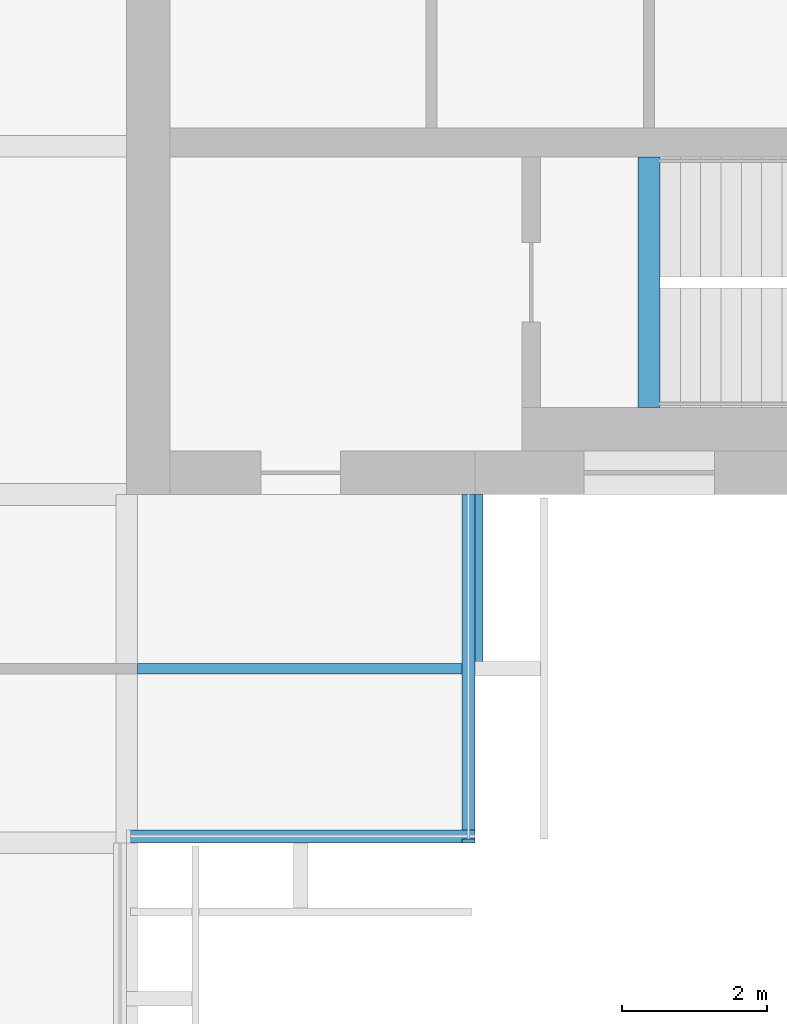
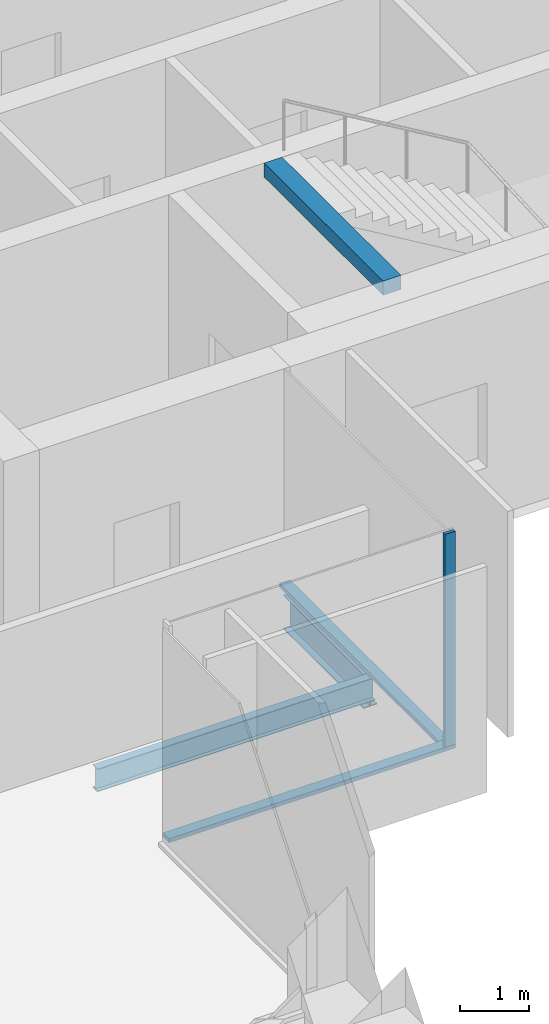
# One storey, part 4 of 13: 3 beams, 3 members, 2 elements without a shape of their own.
"""IFC4 building model written with IfcOpenShell, lengths in metres."""

from ifc_helpers import new_model, si_unit, direction, frame, origin, origin_2d, place, context, subcontext, project, spatial, rectangle, i_section, extrude, material, material_profile, profile_set, type_object, element, aggregate, save


model = new_model("IFC4")

# Units and contexts
model_context = context("Model", 3, precision=1e-05, world=origin(), true_north=direction((0.0, 1.0)))
body_context = subcontext(model_context, "Body", "Model", "MODEL_VIEW")
ifc_project = project(units=[si_unit("LENGTHUNIT", "METRE"), si_unit("AREAUNIT", "SQUARE_METRE"), si_unit("VOLUMEUNIT", "CUBIC_METRE"), si_unit("PLANEANGLEUNIT", "RADIAN"), si_unit("MASSUNIT", "GRAM", prefix="KILO")], contexts=[model_context])

# Site, building, storey
site_placement = place(None, origin())
site = spatial("IfcSite", under=ifc_project, at=site_placement, CompositionType="ELEMENT")
building_placement = place(site_placement, origin())
building = spatial("IfcBuilding", under=site, at=building_placement, Name="Baori Bourse Tower", CompositionType="ELEMENT")
storey_placement = place(building_placement, frame((0.0, 0.0, 346.300048828125)))
storey = spatial("IfcBuildingStorey", under=building, at=storey_placement, Name="L77", CompositionType="ELEMENT", Elevation=346.300048828125)

# Curtain wall, member
ifc_material_1 = material(Name="Pale anodised aluminium", Category="aluminium")
curtain_wall_type = type_object("IfcCurtainWallType", Name="CW2 Curtain wall", PredefinedType="NOTDEFINED", material=ifc_material_1)
curtain_wall_1_placement = place(storey_placement, origin())
curtain_wall_1 = element("IfcCurtainWall", 1, at=curtain_wall_1_placement, inside=storey, type_object=curtain_wall_type, Name="Curtain wall CW2 L77 14", PredefinedType="NOTDEFINED")
ifc_material_2 = material(Name="Pale anodised aluminium", Category="aluminium")
ifc_material_profile_1 = material_profile(ifc_material_2, rectangle(XDim=0.179931640625, YDim=0.054931640625, at=origin_2d()), Name="Mullion 55x180")
ifc_profile_set_1 = profile_set([ifc_material_profile_1], Name="Pale anodised aluminium")
member_type_1 = type_object("IfcMemberType", Name="CW2 Curtain wall mullion", PredefinedType="MULLION", material=ifc_profile_set_1)
member_1_placement = place(storey_placement, frame((43.110107421875, 4.827392578125, 0.070068359375), z_axis=(0.0, 0.0, 1.0), x_axis=(-1.0, 0.0, 0.0)))
member_1 = element("IfcMember", 2, at=member_1_placement, type_object=member_type_1, Name="Curtain wall CW2 mullion", PredefinedType="MULLION", context=body_context, shape_type="SweptSolid", body=[
    extrude(rectangle(XDim=0.179931640625, YDim=0.054931640625, at=origin_2d()), origin(), (0.0, 0.0, 1.0), 3.769775390625),
])

curtain_wall_2_placement = place(storey_placement, origin())
curtain_wall_2 = element("IfcCurtainWall", 3, at=curtain_wall_2_placement, inside=storey, type_object=curtain_wall_type, Name="Curtain wall CW2 L77 13", PredefinedType="NOTDEFINED")
ifc_material_3 = material(Name="Pale anodised aluminium", Category="aluminium")
ifc_material_profile_2 = material_profile(ifc_material_3, rectangle(XDim=0.179931640625, YDim=0.070068359375, at=origin_2d()), Name="Transom 70x180")
ifc_profile_set_2 = profile_set([ifc_material_profile_2], Name="Pale anodised aluminium")
member_type_2 = type_object("IfcMemberType", Name="CW2 Curtain wall transom", PredefinedType="USERDEFINED", material=ifc_profile_set_2)
member_2_placement = place(storey_placement, frame((38.39990234375, 4.889892578125, 0.034912109375), z_axis=(1.0, 0.0, 0.0), x_axis=(0.0, 1.0, 0.0)))
member_2 = element("IfcMember", 4, at=member_2_placement, type_object=member_type_2, Name="Curtain wall CW2 sill rail", ObjectType="TRANSOM", PredefinedType="USERDEFINED", context=body_context, shape_type="SweptSolid", body=[
    extrude(rectangle(XDim=0.179931640625, YDim=0.070068359375, at=origin_2d()), origin(), (0.0, 0.0, 1.0), 4.800048828125),
])
aggregate(curtain_wall_2, [member_2])

# Member
member_3_placement = place(storey_placement, frame((43.110107421875, 4.800048828125, 0.034912109375), z_axis=(0.0, 1.0, 0.0), x_axis=(-1.0, 0.0, 0.0)))
member_3 = element("IfcMember", 5, at=member_3_placement, type_object=member_type_2, Name="Curtain wall CW2 sill rail", ObjectType="TRANSOM", PredefinedType="USERDEFINED", context=body_context, shape_type="SweptSolid", body=[
    extrude(rectangle(XDim=0.179931640625, YDim=0.070068359375, at=origin_2d()), origin(), (0.0, 0.0, 1.0), 4.800048828125),
])

aggregate(curtain_wall_1, [member_3, member_1])

# Beams
ifc_material_4 = material(Name="Steel A992 Gr 50", Category="steel")
ifc_material_profile_3 = material_profile(ifc_material_4, i_section(OverallWidth=0.227783203125, OverallDepth=0.60205078125, WebThickness=0.010498046875, FlangeThickness=0.014892578125, at=origin_2d()), Name="W24x68")
ifc_profile_set_3 = profile_set([ifc_material_profile_3], Name="Steel A992 Gr 50")
beam_type_1 = type_object("IfcBeamType", Name="Core bracket W24x68", PredefinedType="BEAM", material=ifc_profile_set_3)
beam_1_placement = place(storey_placement, frame((43.199951171875, 7.270263671875, -0.4609375), z_axis=(0.0, 1.0, 0.0), x_axis=(-1.0, 0.0, 0.0)))
element("IfcBeam", 6, at=beam_1_placement, inside=storey, type_object=beam_type_1, Name="Core bracket L77", PredefinedType="BEAM", context=body_context, shape_type="SweptSolid", body=[
    extrude(i_section(OverallWidth=0.227783203125, OverallDepth=0.60205078125, WebThickness=0.010498046875, FlangeThickness=0.014892578125, at=origin_2d()), origin(), (0.0, 0.0, 1.0), 2.329833984375),
])
ifc_material_5 = material(Name="Concrete f'c 50 MPa", Category="concrete")
ifc_material_profile_4 = material_profile(ifc_material_5, rectangle(XDim=0.300048828125, YDim=0.25, at=origin_2d()), Name="RC 300x250")
ifc_profile_set_4 = profile_set([ifc_material_profile_4], Name="Concrete f'c 50 MPa")
beam_type_2 = type_object("IfcBeamType", Name="Stair nib beam RC 300x250", PredefinedType="BEAM", material=ifc_profile_set_4)
beam_2_placement = place(storey_placement, frame((45.60009765625, 10.800048828125, 3.71484375), z_axis=(0.0, 1.0, 0.0), x_axis=(-1.0, 0.0, 0.0)))
element("IfcBeam", 7, at=beam_2_placement, inside=storey, type_object=beam_type_2, Name="Stair EA nib beam L78", PredefinedType="BEAM", context=body_context, shape_type="SweptSolid", body=[
    extrude(rectangle(XDim=0.300048828125, YDim=0.25, at=origin_2d()), origin(), (0.0, 0.0, 1.0), 3.449951171875),
])
ifc_material_6 = material(Name="Steel A992 Gr 50", Category="steel")
ifc_material_profile_5 = material_profile(ifc_material_6, i_section(OverallWidth=0.140380859375, OverallDepth=0.40380859375, WebThickness=0.007080078125, FlangeThickness=0.01123046875, at=origin_2d()), Name="W16x31")
ifc_profile_set_5 = profile_set([ifc_material_profile_5], Name="Steel A992 Gr 50")
beam_type_3 = type_object("IfcBeamType", Name="Trimmer beam W16x31", PredefinedType="BEAM", material=ifc_profile_set_5)
beam_3_placement = place(storey_placement, frame((38.546142578125, 7.199951171875, -0.362060546875), z_axis=(1.0, 0.0, 0.0), x_axis=(0.0, 1.0, 0.0)))
element("IfcBeam", 8, at=beam_3_placement, inside=storey, type_object=beam_type_3, Name="Trimmer beam L77", PredefinedType="BEAM", context=body_context, shape_type="SweptSolid", body=[
    extrude(i_section(OverallWidth=0.140380859375, OverallDepth=0.40380859375, WebThickness=0.007080078125, FlangeThickness=0.01123046875, at=origin_2d()), origin(), (0.0, 0.0, 1.0), 4.65380859375),
])

save(model, "model.ifc")
